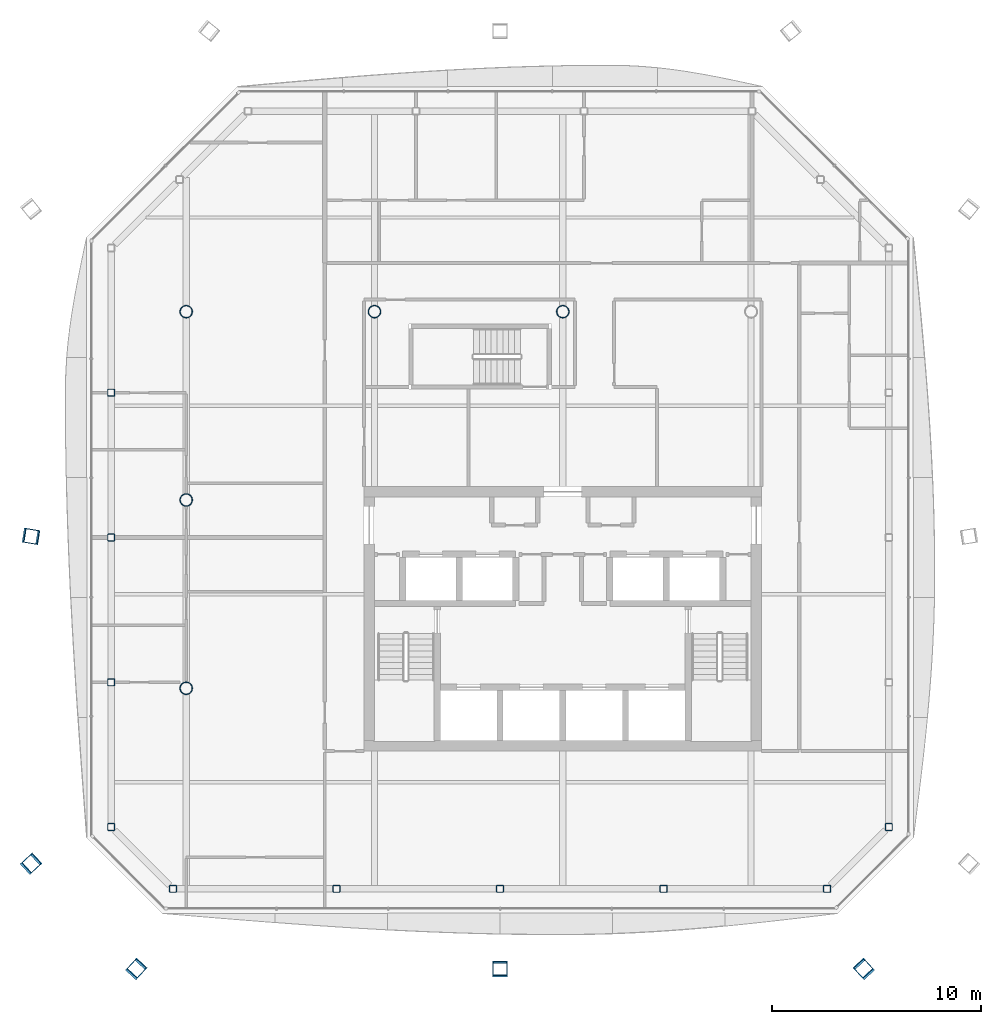
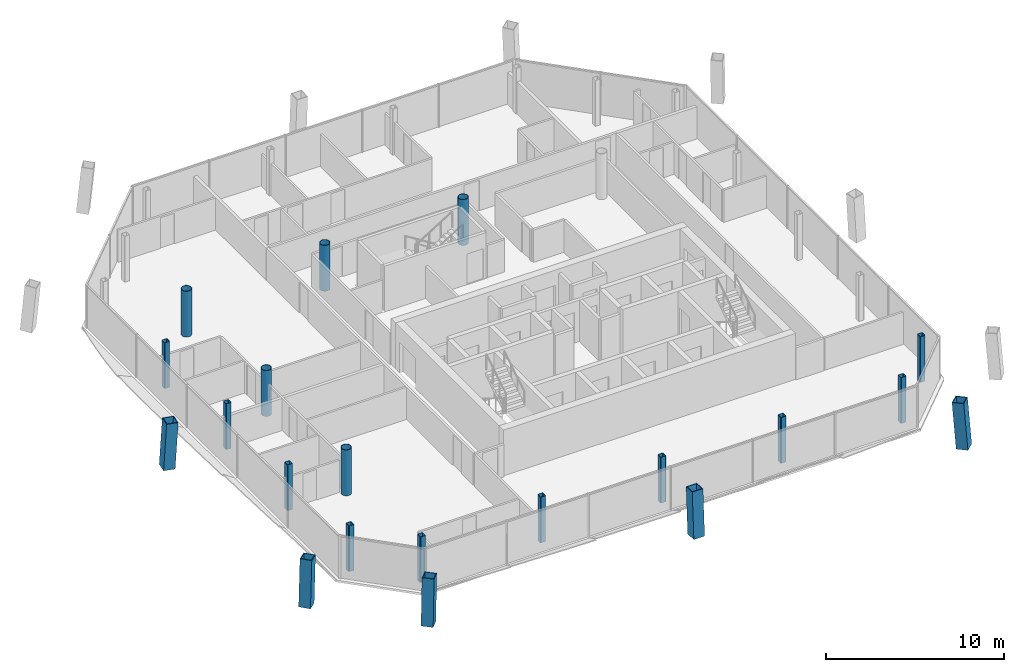
# One storey, part 1 of 19: 20 columns.
"""IFC4 building model written with IfcOpenShell, lengths in metres."""

from ifc_helpers import new_model, si_unit, direction, frame, origin, origin_2d, place, context, subcontext, project, spatial, hollow_rectangle, hollow_circle, extrude, material, material_profile, profile_set, type_object, element, save


model = new_model("IFC4")

# Units and contexts
model_context = context("Model", 3, precision=1e-05, world=origin(), true_north=direction((0.0, 1.0)))
body_context = subcontext(model_context, "Body", "Model", "MODEL_VIEW")
ifc_project = project(units=[si_unit("LENGTHUNIT", "METRE"), si_unit("AREAUNIT", "SQUARE_METRE"), si_unit("VOLUMEUNIT", "CUBIC_METRE"), si_unit("PLANEANGLEUNIT", "RADIAN"), si_unit("MASSUNIT", "GRAM", prefix="KILO")], contexts=[model_context])

# Site, building, storey
site_placement = place(None, origin())
site = spatial("IfcSite", under=ifc_project, at=site_placement, CompositionType="ELEMENT")
building_placement = place(site_placement, origin())
building = spatial("IfcBuilding", under=site, at=building_placement, Name="Tskaro Facet Tower", CompositionType="ELEMENT")
storey_placement = place(building_placement, frame((0.0, 0.0, 203.699951171875)))
storey = spatial("IfcBuildingStorey", under=building, at=storey_placement, Name="L52", CompositionType="ELEMENT", Elevation=203.699951171875)

# Columns
ifc_material_1 = material(Name="Steel S460M", Category="steel")
ifc_material_profile_1 = material_profile(ifc_material_1, hollow_rectangle(XDim=0.699951171875, YDim=0.699951171875, WallThickness=0.044921875, at=origin_2d()), Name="BOX 700x700x45")
ifc_profile_set_1 = profile_set([ifc_material_profile_1], Name="Steel S460M")
column_type_1 = type_object("IfcColumnType", Name="BOX 700x700x45 mega column", PredefinedType="COLUMN", material=ifc_profile_set_1)
column_1_placement = place(storey_placement, frame((-20.41796875, -22.449951171875, 0.0), z_axis=(0.052848827493, 0.057561953922, 0.996942136181), x_axis=(-0.736620357353, 0.676306475744, 0.0)))
element("IfcColumn", 1, at=column_1_placement, inside=storey, type_object=column_type_1, Name="BOX 700x700x45 MC01/4", PredefinedType="COLUMN", context=body_context, shape_type="SweptSolid", body=[
    extrude(hollow_rectangle(XDim=0.699951171875, YDim=0.699951171875, WallThickness=0.044921875, at=origin_2d()), origin(), (0.0, 0.0, 1.0), 3.159912109375),
])
column_2_placement = place(storey_placement, frame((-3.0, -22.449951171875, 0.0), z_axis=(0.0, 0.057642507929, 0.998337288335), x_axis=(-1.0, 0.0, 0.0)))
element("IfcColumn", 2, at=column_2_placement, inside=storey, type_object=column_type_1, Name="BOX 700x700x45 MC02/4", PredefinedType="COLUMN", context=body_context, shape_type="SweptSolid", body=[
    extrude(hollow_rectangle(XDim=0.699951171875, YDim=0.699951171875, WallThickness=0.044921875, at=origin_2d()), origin(), (0.0, 0.0, 1.0), 3.1552734375),
])
column_3_placement = place(storey_placement, frame((14.41796875, -22.449951171875, 0.0), z_axis=(-0.052848827493, 0.057561953922, 0.996942136181), x_axis=(-0.736620357353, -0.676306475744, 0.0)))
element("IfcColumn", 3, at=column_3_placement, inside=storey, type_object=column_type_1, Name="BOX 700x700x45 MC03/4", PredefinedType="COLUMN", context=body_context, shape_type="SweptSolid", body=[
    extrude(hollow_rectangle(XDim=0.699951171875, YDim=0.699951171875, WallThickness=0.044921875, at=origin_2d()), origin(), (0.0, 0.0, 1.0), 3.159912109375),
])
column_4_placement = place(storey_placement, frame((-25.449951171875, -1.73388671875, 0.0), z_axis=(0.057639897771, -0.009516385807, 0.998292081801), x_axis=(0.162895476227, 0.986643331617, 0.0)))
element("IfcColumn", 4, at=column_4_placement, inside=storey, type_object=column_type_1, Name="BOX 700x700x45 MC11/4", PredefinedType="COLUMN", context=body_context, shape_type="SweptSolid", body=[
    extrude(hollow_rectangle(XDim=0.699951171875, YDim=0.699951171875, WallThickness=0.044921875, at=origin_2d()), origin(), (0.0, 0.0, 1.0), 3.155517578125),
])
column_5_placement = place(storey_placement, frame((-25.449951171875, -17.41796875, 0.0), z_axis=(0.057561953922, 0.052848827493, 0.996942136181), x_axis=(-0.676306475744, 0.736620357353, 0.0)))
element("IfcColumn", 5, at=column_5_placement, inside=storey, type_object=column_type_1, Name="BOX 700x700x45 MC12/4", PredefinedType="COLUMN", context=body_context, shape_type="SweptSolid", body=[
    extrude(hollow_rectangle(XDim=0.699951171875, YDim=0.699951171875, WallThickness=0.044921875, at=origin_2d()), origin(), (0.0, 0.0, 1.0), 3.159912109375),
])
ifc_material_2 = material(Name="Steel S355J2H", Category="steel")
ifc_material_profile_2 = material_profile(ifc_material_2, hollow_circle(Radius=0.304931640625, WallThickness=0.030029296875, at=origin_2d()), Name="CHS 610x30")
ifc_profile_set_2 = profile_set([ifc_material_profile_2], Name="Steel S355J2H")
column_type_2 = type_object("IfcColumnType", Name="CHS 610x30 interior column", PredefinedType="COLUMN", material=ifc_profile_set_2)
for number, where, z_axis, x_axis, name in (
    (6, (-18.0, -9.0, 0.0), (0.0, 0.0, 1.0), (1.0, 0.0, 0.0), "CHS 610x30 C2C/4"),
    (7, (-18.0, 0.0, 0.0), (0.0, 0.0, 1.0), (1.0, 0.0, 0.0), "CHS 610x30 C2D/4"),
    (8, (-18.0, 9.0, 0.0), (0.0, 0.0, 1.0), (1.0, 0.0, 0.0), "CHS 610x30 C2E/4"),
    (9, (-9.0, 9.0, 0.0), (0.0, 0.0, 1.0), (1.0, 0.0, 0.0), "CHS 610x30 C3E/4"),
    (10, (0.0, 9.0, 0.0), (0.0, 0.0, 1.0), (1.0, 0.0, 0.0), "CHS 610x30 C4E/4"),
):
    element("IfcColumn", number, at=place(storey_placement, frame(where, z_axis=z_axis, x_axis=x_axis)), inside=storey, type_object=column_type_2, Name=name, PredefinedType="COLUMN", context=body_context, shape_type="SweptSolid", body=[
        extrude(hollow_circle(Radius=0.304931640625, WallThickness=0.030029296875, at=origin_2d()), origin(), (0.0, 0.0, 1.0), 3.150146484375),
    ])
ifc_material_profile_3 = material_profile(ifc_material_2, hollow_rectangle(XDim=0.35009765625, YDim=0.35009765625, WallThickness=0.02001953125, InnerFilletRadius=0.030029296875, OuterFilletRadius=0.050048828125, at=origin_2d()), Name="SHS 350x350x20")
ifc_profile_set_3 = profile_set([ifc_material_profile_3], Name="Steel S355J2H")
column_type_3 = type_object("IfcColumnType", Name="SHS 350x350x20 ring column", PredefinedType="COLUMN", material=ifc_profile_set_3)
for number, where, z_axis, x_axis, name in (
    (11, (-18.633056640625, -18.5830078125, 0.0), (0.0, 0.0, 1.0), (1.0, 0.0, 0.0), "SHS 350x350x20 RS-1/4"),
    (12, (-10.81591796875, -18.5830078125, 0.0), (0.0, 0.0, 1.0), (1.0, 0.0, 0.0), "SHS 350x350x20 RS-2/4"),
    (13, (-3.0, -18.5830078125, 0.0), (0.0, 0.0, 1.0), (1.0, 0.0, 0.0), "SHS 350x350x20 RS-3/4"),
    (14, (4.81689453125, -18.5830078125, 0.0), (0.0, 0.0, 1.0), (1.0, 0.0, 0.0), "SHS 350x350x20 RS-4/4"),
    (15, (12.633056640625, -18.5830078125, 0.0), (0.0, 0.0, 1.0), (1.0, 0.0, 0.0), "SHS 350x350x20 RSE-1/4"),
    (16, (15.5830078125, -15.633056640625, 0.0), (0.0, 0.0, 1.0), (1.0, 0.0, 0.0), "SHS 350x350x20 RE-1/4"),
    (17, (-21.5830078125, 5.1259765625, 0.0), (0.0, 0.0, 1.0), (1.0, 0.0, 0.0), "SHS 350x350x20 RW-2/4"),
    (18, (-21.5830078125, -1.79296875, 0.0), (0.0, 0.0, 1.0), (1.0, 0.0, 0.0), "SHS 350x350x20 RW-3/4"),
    (19, (-21.5830078125, -8.712890625, 0.0), (0.0, 0.0, 1.0), (1.0, 0.0, 0.0), "SHS 350x350x20 RW-4/4"),
    (20, (-21.5830078125, -15.633056640625, 0.0), (0.0, 0.0, 1.0), (1.0, 0.0, 0.0), "SHS 350x350x20 RSW-1/4"),
):
    element("IfcColumn", number, at=place(storey_placement, frame(where, z_axis=z_axis, x_axis=x_axis)), inside=storey, type_object=column_type_3, Name=name, PredefinedType="COLUMN", context=body_context, shape_type="SweptSolid", body=[
        extrude(hollow_rectangle(XDim=0.35009765625, YDim=0.35009765625, WallThickness=0.02001953125, InnerFilletRadius=0.030029296875, OuterFilletRadius=0.050048828125, at=origin_2d()), origin(), (0.0, 0.0, 1.0), 3.150146484375),
    ])

save(model, "model.ifc")
